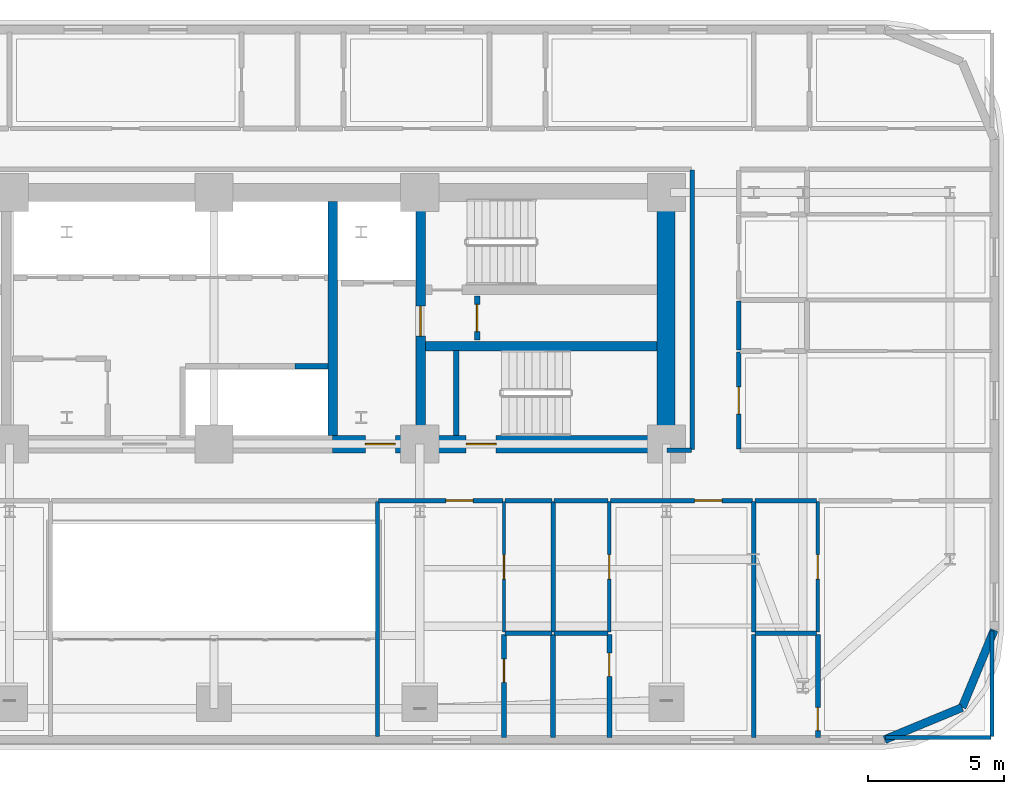
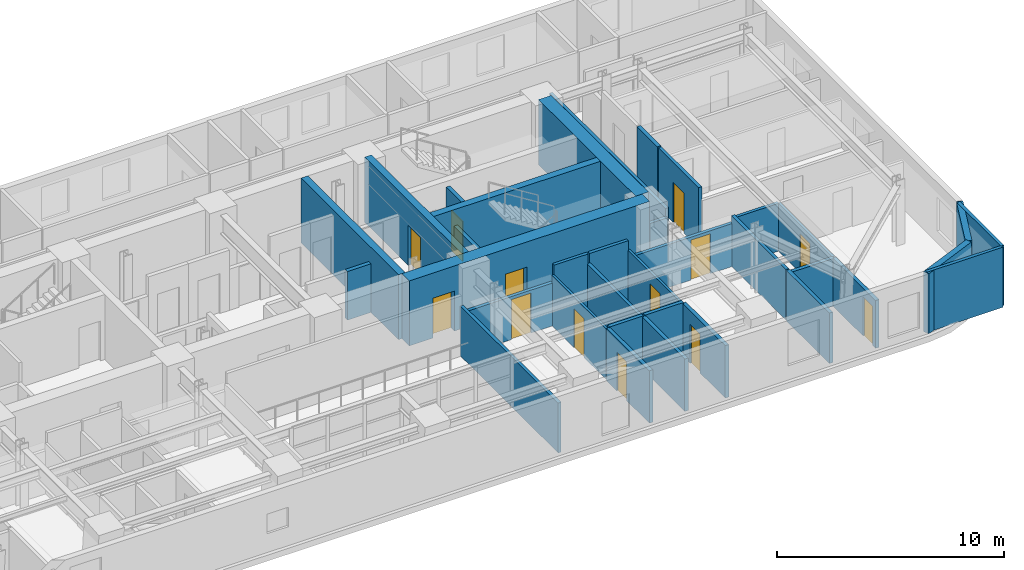
# One storey, part 11 of 16: 35 walls, 13 doors, 13 openings.
"""IFC4 building model written with IfcOpenShell, lengths in metres."""

from ifc_helpers import new_model, si_unit, direction, frame, frame_2d, origin, place, context, subcontext, project, spatial, rectangle, extrude, material, layer, layer_set, type_object, element, fill, save


model = new_model("IFC4")

# Units and contexts
model_context = context("Model", 3, precision=1e-05, world=origin(), true_north=direction((0.0, 1.0)))
body_context = subcontext(model_context, "Body", "Model", "MODEL_VIEW")
ifc_project = project(units=[si_unit("LENGTHUNIT", "METRE"), si_unit("AREAUNIT", "SQUARE_METRE"), si_unit("VOLUMEUNIT", "CUBIC_METRE"), si_unit("PLANEANGLEUNIT", "RADIAN"), si_unit("MASSUNIT", "GRAM", prefix="KILO")], contexts=[model_context])

# Site, building, storey
site_placement = place(None, origin())
site = spatial("IfcSite", under=ifc_project, at=site_placement, CompositionType="ELEMENT")
building_placement = place(site_placement, origin())
building = spatial("IfcBuilding", under=site, at=building_placement, Name="Zarnavel Station Tower", CompositionType="ELEMENT")
storey_placement = place(building_placement, frame((0.0, 0.0, 86.300048828125)))
storey = spatial("IfcBuildingStorey", under=building, at=storey_placement, Name="L23", CompositionType="ELEMENT", Elevation=86.300048828125)

# Wall
ifc_material_1 = material(Name="Concrete C50/60", Category="concrete")
ifc_layer_1 = layer(ifc_material_1, 0.35009765625)
ifc_layer_set_1 = layer_set([ifc_layer_1], Name="CW_350")
wall_type_1 = type_object("IfcWallType", Name="CW_350", PredefinedType="SHEAR", material=ifc_layer_set_1)
wall_1_placement = place(storey_placement, frame((33.14990234375, 28.14501953125, 0.0), z_axis=(0.0, 0.0, 1.0), x_axis=(0.0, 1.0, 0.0)))
element("IfcWall", 1, at=wall_1_placement, inside=storey, type_object=wall_type_1, Name="L23 Rear Core Shear Wall DIV-E", PredefinedType="SHEAR", context=body_context, shape_type="SweptSolid", body=[
    extrude(rectangle(XDim=8.580078125, YDim=0.35009765625, at=frame_2d((4.2900390625, 0.0))), origin(), (0.0, 0.0, 1.0), 3.5),
])

# Wall, opening, door
wall_2_placement = place(storey_placement, frame((36.3798828125, 28.14501953125, 0.0), z_axis=(0.0, 0.0, 1.0), x_axis=(0.0, 1.0, 0.0)))
wall_2 = element("IfcWall", 2, at=wall_2_placement, inside=storey, type_object=wall_type_1, Name="L23 Rear Core Shear Wall DIV-S2", PredefinedType="SHEAR", context=body_context, shape_type="SweptSolid", body=[
    extrude(rectangle(XDim=8.580078125, YDim=0.35009765625, at=frame_2d((4.2900390625, 0.0))), origin(), (0.0, 0.0, 1.0), 3.5),
])
opening_1_placement = place(wall_2_placement, frame((3.635009765625, 0.0, 0.0)))
opening_1 = element("IfcOpeningElement", 3, at=opening_1_placement, cuts=wall_2, Name="Opening FD01", PredefinedType="OPENING", context=body_context, shape_type="SweptSolid", body=[
    extrude(rectangle(XDim=1.10009765625, YDim=2.14990234375, at=frame_2d((0.550048828125, 1.074951171875))), frame((0.0, 0.18505859375, 0.0), z_axis=(0.0, -1.0, 0.0), x_axis=(1.0, 0.0, 0.0)), (0.0, 0.0, 1.0), 0.3701171875),
])
ifc_material_2 = material(Name="Painted Galvanised Steel and Hardwood Leaf", Category="steel")
door_type_1 = type_object("IfcDoorType", Name="ID_STAIR_1100", OperationType="NOTDEFINED", PredefinedType="DOOR", material=ifc_material_2)
door_1_placement = place(opening_1_placement, origin())
door_1 = element("IfcDoor", 4, at=door_1_placement, inside=storey, type_object=door_type_1, Name="L23 East Stair Vestibule Fire Door", OperationType="SINGLE_SWING_LEFT", OverallHeight=2.14990234375, OverallWidth=1.10009765625, PredefinedType="DOOR", context=body_context, shape_type="SweptSolid", body=[
    extrude(rectangle(XDim=1.10009765625, YDim=2.14990234375, at=frame_2d((0.550048828125, 1.074951171875))), frame((0.0, 0.02490234375, 0.0), z_axis=(0.0, -1.0, 0.0), x_axis=(1.0, 0.0, 0.0)), (0.0, 0.0, 1.0), 0.050048828125),
])
fill(opening_1, door_1)

# Wall
wall_3_placement = place(storey_placement, frame((36.554931640625, 31.419921875, 0.0), z_axis=(0.0, 0.0, 1.0), x_axis=(1.0, 0.0, 0.0)))
element("IfcWall", 5, at=wall_3_placement, inside=storey, type_object=wall_type_1, Name="L23 Rear Core Shear Wall DIV-H3", PredefinedType="SHEAR", context=body_context, shape_type="SweptSolid", body=[
    extrude(rectangle(XDim=8.5, YDim=0.35009765625, at=frame_2d((4.25, 0.0))), origin(), (0.0, 0.0, 1.0), 3.5),
])

# Wall, openings, doors
ifc_material_3 = material(Name="Concrete C60/75", Category="concrete")
ifc_layer_2 = layer(ifc_material_3, 0.64990234375)
ifc_layer_set_2 = layer_set([ifc_layer_2], Name="CW_650")
wall_type_2 = type_object("IfcWallType", Name="CW_650", PredefinedType="SHEAR", material=ifc_layer_set_2)
wall_4_placement = place(storey_placement, frame((45.3798828125, 27.820068359375, 0.0), z_axis=(0.0, 0.0, 1.0), x_axis=(-1.0, 0.0, 0.0)))
wall_4 = element("IfcWall", 6, at=wall_4_placement, inside=storey, type_object=wall_type_2, Name="L23 Rear Core Shear Wall S-E", PredefinedType="SHEAR", context=body_context, shape_type="SweptSolid", body=[
    extrude(rectangle(XDim=12.22998046875, YDim=0.64990234375, at=frame_2d((6.114990234375, 0.0))), origin(), (0.0, 0.0, 1.0), 3.5),
])
opening_2_placement = place(wall_4_placement, frame((9.929931640625, 0.0, 0.0)))
opening_2 = element("IfcOpeningElement", 7, at=opening_2_placement, cuts=wall_4, Name="Opening FD01", PredefinedType="OPENING", context=body_context, shape_type="SweptSolid", body=[
    extrude(rectangle(XDim=1.10009765625, YDim=2.14990234375, at=frame_2d((0.550048828125, 1.074951171875))), frame((0.0, 0.3349609375, 0.0), z_axis=(0.0, -1.0, 0.0), x_axis=(1.0, 0.0, 0.0)), (0.0, 0.0, 1.0), 0.669921875),
])
opening_3_placement = place(wall_4_placement, frame((6.22998046875, 0.0, 0.0)))
opening_3 = element("IfcOpeningElement", 8, at=opening_3_placement, cuts=wall_4, Name="Opening FD01", PredefinedType="OPENING", context=body_context, shape_type="SweptSolid", body=[
    extrude(rectangle(XDim=1.10009765625, YDim=2.14990234375, at=frame_2d((0.550048828125, 1.074951171875))), frame((0.0, 0.3349609375, 0.0), z_axis=(0.0, -1.0, 0.0), x_axis=(1.0, 0.0, 0.0)), (0.0, 0.0, 1.0), 0.669921875),
])
door_2_placement = place(opening_2_placement, origin())
door_2 = element("IfcDoor", 9, at=door_2_placement, inside=storey, type_object=door_type_1, Name="L23 East Firefighting Lobby Door", OperationType="SINGLE_SWING_LEFT", OverallHeight=2.14990234375, OverallWidth=1.10009765625, PredefinedType="DOOR", context=body_context, shape_type="SweptSolid", body=[
    extrude(rectangle(XDim=1.10009765625, YDim=2.14990234375, at=frame_2d((0.550048828125, 1.074951171875))), frame((0.0, 0.02490234375, 0.0), z_axis=(0.0, -1.0, 0.0), x_axis=(1.0, 0.0, 0.0)), (0.0, 0.0, 1.0), 0.050048828125),
])
fill(opening_2, door_2)
door_3_placement = place(opening_3_placement, origin())
door_3 = element("IfcDoor", 10, at=door_3_placement, inside=storey, type_object=door_type_1, Name="L23 Stair ST3 Corridor Fire Door", OperationType="SINGLE_SWING_RIGHT", OverallHeight=2.14990234375, OverallWidth=1.10009765625, PredefinedType="DOOR", context=body_context, shape_type="SweptSolid", body=[
    extrude(rectangle(XDim=1.10009765625, YDim=2.14990234375, at=frame_2d((0.550048828125, 1.074951171875))), frame((0.0, 0.02490234375, 0.0), z_axis=(0.0, -1.0, 0.0), x_axis=(1.0, 0.0, 0.0)), (0.0, 0.0, 1.0), 0.050048828125),
])
fill(opening_3, door_3)

# Walls
wall_5_placement = place(storey_placement, frame((45.3798828125, 28.14501953125, 0.0), z_axis=(0.0, 0.0, 1.0), x_axis=(0.0, 1.0, 0.0)))
element("IfcWall", 11, at=wall_5_placement, inside=storey, type_object=wall_type_2, Name="L23 Rear Core Shear Wall E", PredefinedType="SHEAR", context=body_context, shape_type="SweptSolid", body=[
    extrude(rectangle(XDim=8.580078125, YDim=0.64990234375, at=frame_2d((4.2900390625, 0.0))), origin(), (0.0, 0.0, 1.0), 3.5),
])
ifc_material_4 = material(Name="Precast concrete C45/55 (Dark Basalt Finish)", Category="masonry")
ifc_layer_3 = layer(ifc_material_4, 0.300048828125)
ifc_layer_set_3 = layer_set([ifc_layer_3], Name="EW_BASALT_300")
wall_type_3 = type_object("IfcWallType", Name="EW_BASALT_300", PredefinedType="SOLIDWALL", material=ifc_layer_set_3)
wall_6_placement = place(storey_placement, frame((56.24267578125, 18.157470703125, 0.0), z_axis=(0.0, 0.0, 1.0), x_axis=(-0.923882414032, -0.382676475685, 0.0)))
element("IfcWall", 12, at=wall_6_placement, inside=storey, type_object=wall_type_3, Name="L23 Exterior Basalt Masonry Frame Wall 01", PredefinedType="SOLIDWALL", context=body_context, shape_type="SweptSolid", body=[
    extrude(rectangle(XDim=3.076904296875, YDim=0.300048828125, at=frame_2d((1.53857421875, 0.0))), origin(), (0.0, 0.0, 1.0), 3.239990234375),
])
wall_7_placement = place(storey_placement, frame((57.419921875, 21.0, 0.0), z_axis=(0.0, 0.0, 1.0), x_axis=(-0.382636798336, -0.92389884758, 0.0)))
element("IfcWall", 13, at=wall_7_placement, inside=storey, type_object=wall_type_3, Name="L23 Exterior Basalt Masonry Frame Wall 02", PredefinedType="SOLIDWALL", context=body_context, shape_type="SweptSolid", body=[
    extrude(rectangle(XDim=3.07666015625, YDim=0.300048828125, at=frame_2d((1.538330078125, 0.0))), origin(), (0.0, 0.0, 1.0), 3.239990234375),
])

# Wall, opening, door
ifc_material_5 = material(Name="Gypsum Twin-Stud Acoustic Fire Partition", Category="concrete")
ifc_layer_4 = layer(ifc_material_5, 0.159912109375)
ifc_layer_set_4 = layer_set([ifc_layer_4], Name="PT_DEMISE_160")
wall_type_4 = type_object("IfcWallType", Name="PT_DEMISE_160", PredefinedType="PARTITIONING", material=ifc_layer_set_4)
wall_8_placement = place(storey_placement, frame((34.840087890625, 25.75, 0.0), z_axis=(0.0, 0.0, 1.0), x_axis=(1.0, 0.0, 0.0)))
wall_8 = element("IfcWall", 14, at=wall_8_placement, inside=storey, type_object=wall_type_4, Name="L23 Partition COR-S-HE1R", PredefinedType="PARTITIONING", context=body_context, shape_type="SweptSolid", body=[
    extrude(rectangle(XDim=4.556884765625, YDim=0.159912109375, at=frame_2d((2.2783203125, 0.0))), origin(), (0.0, 0.0, 1.0), 2.31005859375),
])
opening_4_placement = place(wall_8_placement, frame((2.461181640625, 0.0, 0.0)))
opening_4 = element("IfcOpeningElement", 15, at=opening_4_placement, cuts=wall_8, Name="Opening FD02", PredefinedType="OPENING", context=body_context, shape_type="SweptSolid", body=[
    extrude(rectangle(XDim=1.0, YDim=2.14990234375, at=frame_2d((0.5, 1.074951171875))), frame((0.0, 0.08984375, 0.0), z_axis=(0.0, -1.0, 0.0), x_axis=(1.0, 0.0, 0.0)), (0.0, 0.0, 1.0), 0.179931640625),
])
ifc_material_6 = material(Name="Painted Galvanised Steel and Hardwood Leaf", Category="steel")
door_type_2 = type_object("IfcDoorType", Name="ID_ENTRY_1000", OperationType="NOTDEFINED", PredefinedType="DOOR", material=ifc_material_6)
door_4_placement = place(opening_4_placement, origin())
door_4 = element("IfcDoor", 16, at=door_4_placement, inside=storey, type_object=door_type_2, Name="L23 Door COR-S-HE1R", OperationType="SINGLE_SWING_RIGHT", OverallHeight=2.14990234375, OverallWidth=1.0, PredefinedType="DOOR", context=body_context, shape_type="SweptSolid", body=[
    extrude(rectangle(XDim=1.0, YDim=2.14990234375, at=frame_2d((0.5, 1.074951171875))), frame((0.0, 0.02490234375, 0.0), z_axis=(0.0, -1.0, 0.0), x_axis=(1.0, 0.0, 0.0)), (0.0, 0.0, 1.0), 0.050048828125),
])
fill(opening_4, door_4)

# Wall
wall_9_placement = place(storey_placement, frame((39.47705078125, 25.75, 0.0), z_axis=(0.0, 0.0, 1.0), x_axis=(1.0, 0.0, 0.0)))
element("IfcWall", 17, at=wall_9_placement, inside=storey, type_object=wall_type_4, Name="L23 Partition COR-S-HE1S", PredefinedType="PARTITIONING", context=body_context, shape_type="SweptSolid", body=[
    extrude(rectangle(XDim=1.722900390625, YDim=0.159912109375, at=frame_2d((0.861328125, 0.0))), origin(), (0.0, 0.0, 1.0), 3.239990234375),
])

# Wall, opening, door
wall_10_placement = place(storey_placement, frame((43.341064453125, 25.75, 0.0), z_axis=(0.0, 0.0, 1.0), x_axis=(1.0, 0.0, 0.0)))
wall_10 = element("IfcWall", 18, at=wall_10_placement, inside=storey, type_object=wall_type_4, Name="L23 Partition COR-S-HE2R", PredefinedType="PARTITIONING", context=body_context, shape_type="SweptSolid", body=[
    extrude(rectangle(XDim=5.218994140625, YDim=0.159912109375, at=frame_2d((2.609375, 0.0))), origin(), (0.0, 0.0, 1.0), 2.31005859375),
])
opening_5_placement = place(wall_10_placement, frame((3.09423828125, 0.0, 0.0)))
opening_5 = element("IfcOpeningElement", 19, at=opening_5_placement, cuts=wall_10, Name="Opening FD02", PredefinedType="OPENING", context=body_context, shape_type="SweptSolid", body=[
    extrude(rectangle(XDim=1.0, YDim=2.14990234375, at=frame_2d((0.5, 1.074951171875))), frame((0.0, 0.08984375, 0.0), z_axis=(0.0, -1.0, 0.0), x_axis=(1.0, 0.0, 0.0)), (0.0, 0.0, 1.0), 0.179931640625),
])
door_5_placement = place(opening_5_placement, origin())
door_5 = element("IfcDoor", 20, at=door_5_placement, inside=storey, type_object=door_type_2, Name="L23 Door COR-S-HE2R", OperationType="SINGLE_SWING_LEFT", OverallHeight=2.14990234375, OverallWidth=1.0, PredefinedType="DOOR", context=body_context, shape_type="SweptSolid", body=[
    extrude(rectangle(XDim=1.0, YDim=2.14990234375, at=frame_2d((0.5, 1.074951171875))), frame((0.0, 0.02490234375, 0.0), z_axis=(0.0, -1.0, 0.0), x_axis=(1.0, 0.0, 0.0)), (0.0, 0.0, 1.0), 0.050048828125),
])
fill(opening_5, door_5)

# Walls
wall_11_placement = place(storey_placement, frame((41.280029296875, 25.75, 0.0), z_axis=(0.0, 0.0, 1.0), x_axis=(1.0, 0.0, 0.0)))
element("IfcWall", 21, at=wall_11_placement, inside=storey, type_object=wall_type_4, Name="L23 Partition COR-S-HE2S", PredefinedType="PARTITIONING", context=body_context, shape_type="SweptSolid", body=[
    extrude(rectangle(XDim=1.98095703125, YDim=0.159912109375, at=frame_2d((0.990478515625, 0.0))), origin(), (0.0, 0.0, 1.0), 3.239990234375),
])
wall_12_placement = place(storey_placement, frame((48.639892578125, 25.75, 0.0), z_axis=(0.0, 0.0, 1.0), x_axis=(1.0, 0.0, 0.0)))
element("IfcWall", 22, at=wall_12_placement, inside=storey, type_object=wall_type_4, Name="L23 Partition COR-S-HE3S", PredefinedType="PARTITIONING", context=body_context, shape_type="SweptSolid", body=[
    extrude(rectangle(XDim=2.27001953125, YDim=0.159912109375, at=frame_2d((1.135009765625, 0.0))), origin(), (0.0, 0.0, 1.0), 2.570068359375),
])

# Wall, opening, door
wall_13_placement = place(storey_placement, frame((48.050048828125, 27.639892578125, 0.0), z_axis=(0.0, 0.0, 1.0), x_axis=(0.0, 1.0, 0.0)))
wall_13 = element("IfcWall", 23, at=wall_13_placement, inside=storey, type_object=wall_type_4, Name="L23 Partition COR-E-FNE1R", PredefinedType="PARTITIONING", context=body_context, shape_type="SweptSolid", body=[
    extrude(rectangle(XDim=3.55615234375, YDim=0.159912109375, at=frame_2d((1.778076171875, 0.0))), origin(), (0.0, 0.0, 1.0), 3.239990234375),
])
opening_6_placement = place(wall_13_placement, frame((1.278076171875, 0.0, 0.0)))
opening_6 = element("IfcOpeningElement", 24, at=opening_6_placement, cuts=wall_13, Name="Opening FD02", PredefinedType="OPENING", context=body_context, shape_type="SweptSolid", body=[
    extrude(rectangle(XDim=1.0, YDim=2.14990234375, at=frame_2d((0.5, 1.074951171875))), frame((0.0, 0.08984375, 0.0), z_axis=(0.0, -1.0, 0.0), x_axis=(1.0, 0.0, 0.0)), (0.0, 0.0, 1.0), 0.179931640625),
])
door_6_placement = place(opening_6_placement, origin())
door_6 = element("IfcDoor", 25, at=door_6_placement, inside=storey, type_object=door_type_2, Name="L23 Door COR-E-FNE1R", OperationType="SINGLE_SWING_LEFT", OverallHeight=2.14990234375, OverallWidth=1.0, PredefinedType="DOOR", context=body_context, shape_type="SweptSolid", body=[
    extrude(rectangle(XDim=1.0, YDim=2.14990234375, at=frame_2d((0.5, 1.074951171875))), frame((0.0, 0.02490234375, 0.0), z_axis=(0.0, -1.0, 0.0), x_axis=(1.0, 0.0, 0.0)), (0.0, 0.0, 1.0), 0.050048828125),
])
fill(opening_6, door_6)

# Walls
for number, where, z_axis, x_axis, name in (
    (26, (41.239990234375, 20.924072265625, 0.0), (0.0, 0.0, 1.0), (0.0, 1.0, 0.0), "L23 Partition HE1S-HE2S"),
    (27, (48.60009765625, 20.924072265625, 0.0), (0.0, 0.0, 1.0), (0.0, 1.0, 0.0), "L23 Partition HE2R-HE3S"),
):
    element("IfcWall", number, at=place(storey_placement, frame(where, z_axis=z_axis, x_axis=x_axis)), inside=storey, type_object=wall_type_4, Name=name, PredefinedType="PARTITIONING", context=body_context, shape_type="SweptSolid", body=[
        extrude(rectangle(XDim=4.785888671875, YDim=0.159912109375, at=frame_2d((2.39306640625, 0.0))), origin(), (0.0, 0.0, 1.0), 2.719970703125),
    ])
wall_14_placement = place(storey_placement, frame((45.409912109375, 27.60009765625, 0.0), z_axis=(0.0, 0.0, 1.0), x_axis=(1.0, 0.0, 0.0)))
element("IfcWall", 28, at=wall_14_placement, inside=storey, type_object=wall_type_4, Name="L23 Enclosure Wall COR-S", PredefinedType="PARTITIONING", context=body_context, shape_type="SweptSolid", body=[
    extrude(rectangle(XDim=0.91015625, YDim=0.159912109375, at=frame_2d((0.455078125, 0.0))), origin(), (0.0, 0.0, 1.0), 2.280029296875),
])
wall_15_placement = place(storey_placement, frame((46.35009765625, 27.6298828125, 0.0), z_axis=(0.0, 0.0, 1.0), x_axis=(0.0, 1.0, 0.0)))
element("IfcWall", 29, at=wall_15_placement, inside=storey, type_object=wall_type_4, Name="L23 Enclosure Wall COR-E", PredefinedType="PARTITIONING", context=body_context, shape_type="SweptSolid", body=[
    extrude(rectangle(XDim=10.240234375, YDim=0.159912109375, at=frame_2d((5.1201171875, 0.0))), origin(), (0.0, 0.0, 1.0), 2.719970703125),
])
wall_16_placement = place(storey_placement, frame((34.800048828125, 17.090087890625, 0.0), z_axis=(0.0, 0.0, 1.0), x_axis=(0.0, 1.0, 0.0)))
element("IfcWall", 30, at=wall_16_placement, inside=storey, type_object=wall_type_4, Name="L23 Enclosure Wall HE1R", PredefinedType="PARTITIONING", context=body_context, shape_type="SweptSolid", body=[
    extrude(rectangle(XDim=8.6298828125, YDim=0.159912109375, at=frame_2d((4.31494140625, 0.0))), origin(), (0.0, 0.0, 1.0), 2.679931640625),
])
wall_17_placement = place(storey_placement, frame((53.429931640625, 17.06005859375, 0.0), z_axis=(0.0, 0.0, 1.0), x_axis=(1.0, 0.0, 0.0)))
element("IfcWall", 31, at=wall_17_placement, inside=storey, type_object=wall_type_4, Name="L23 Enclosure Wall HE3R", PredefinedType="PARTITIONING", context=body_context, shape_type="SweptSolid", body=[
    extrude(rectangle(XDim=3.880126953125, YDim=0.159912109375, at=frame_2d((1.93994140625, 0.0))), origin(), (0.0, 0.0, 1.0), 3.239990234375),
])
wall_18_placement = place(storey_placement, frame((57.340087890625, 17.090087890625, 0.0), z_axis=(0.0, 0.0, 1.0), x_axis=(0.0, 1.0, 0.0)))
element("IfcWall", 32, at=wall_18_placement, inside=storey, type_object=wall_type_4, Name="L23 Enclosure Wall HE3R", PredefinedType="PARTITIONING", context=body_context, shape_type="SweptSolid", body=[
    extrude(rectangle(XDim=3.8798828125, YDim=0.159912109375, at=frame_2d((1.93994140625, 0.0))), origin(), (0.0, 0.0, 1.0), 3.239990234375),
])

# Wall, opening, door
ifc_material_7 = material(Name="Gypsum Metal-Stud Interior Partition", Category="concrete")
ifc_layer_5 = layer(ifc_material_7, 0.1201171875)
ifc_layer_set_5 = layer_set([ifc_layer_5], Name="PT_ROOM_120")
wall_type_5 = type_object("IfcWallType", Name="PT_ROOM_120", PredefinedType="PARTITIONING", material=ifc_layer_set_5)
wall_19_placement = place(storey_placement, frame((39.43701171875, 20.924072265625, 0.0), z_axis=(0.0, 0.0, 1.0), x_axis=(0.0, 1.0, 0.0)))
wall_19 = element("IfcWall", 33, at=wall_19_placement, inside=storey, type_object=wall_type_5, Name="L23 Partition HE1R-HE1S", PredefinedType="PARTITIONING", context=body_context, shape_type="SweptSolid", body=[
    extrude(rectangle(XDim=4.785888671875, YDim=0.1201171875, at=frame_2d((2.39306640625, 0.0))), origin(), (0.0, 0.0, 1.0), 2.719970703125),
])
opening_7_placement = place(wall_19_placement, frame((1.943115234375, 0.0, 0.0)))
opening_7 = element("IfcOpeningElement", 34, at=opening_7_placement, cuts=wall_19, Name="Opening ID01", PredefinedType="OPENING", context=body_context, shape_type="SweptSolid", body=[
    extrude(rectangle(XDim=0.89990234375, YDim=2.10009765625, at=frame_2d((0.449951171875, 1.050048828125))), frame((0.0, 0.070068359375, 0.0), z_axis=(0.0, -1.0, 0.0), x_axis=(1.0, 0.0, 0.0)), (0.0, 0.0, 1.0), 0.14013671875),
])
ifc_material_8 = material(Name="Painted Galvanised Steel and Hardwood Leaf", Category="steel")
door_type_3 = type_object("IfcDoorType", Name="ID_ROOM_900", OperationType="NOTDEFINED", PredefinedType="DOOR", material=ifc_material_8)
door_7_placement = place(opening_7_placement, origin())
door_7 = element("IfcDoor", 35, at=door_7_placement, inside=storey, type_object=door_type_3, Name="L23 Door HE1R-HE1S", OperationType="SINGLE_SWING_LEFT", OverallHeight=2.10009765625, OverallWidth=0.89990234375, PredefinedType="DOOR", context=body_context, shape_type="SweptSolid", body=[
    extrude(rectangle(XDim=0.89990234375, YDim=2.10009765625, at=frame_2d((0.449951171875, 1.050048828125))), frame((0.0, 0.02490234375, 0.0), z_axis=(0.0, -1.0, 0.0), x_axis=(1.0, 0.0, 0.0)), (0.0, 0.0, 1.0), 0.050048828125),
])
fill(opening_7, door_7)

wall_20_placement = place(storey_placement, frame((43.301025390625, 20.924072265625, 0.0), z_axis=(0.0, 0.0, 1.0), x_axis=(0.0, 1.0, 0.0)))
wall_20 = element("IfcWall", 36, at=wall_20_placement, inside=storey, type_object=wall_type_5, Name="L23 Partition HE2R-HE2S", PredefinedType="PARTITIONING", context=body_context, shape_type="SweptSolid", body=[
    extrude(rectangle(XDim=4.785888671875, YDim=0.1201171875, at=frame_2d((2.39306640625, 0.0))), origin(), (0.0, 0.0, 1.0), 2.719970703125),
])
opening_8_placement = place(wall_20_placement, frame((1.943115234375, 0.0, 0.0)))
opening_8 = element("IfcOpeningElement", 37, at=opening_8_placement, cuts=wall_20, Name="Opening ID01", PredefinedType="OPENING", context=body_context, shape_type="SweptSolid", body=[
    extrude(rectangle(XDim=0.89990234375, YDim=2.10009765625, at=frame_2d((0.449951171875, 1.050048828125))), frame((0.0, 0.070068359375, 0.0), z_axis=(0.0, -1.0, 0.0), x_axis=(1.0, 0.0, 0.0)), (0.0, 0.0, 1.0), 0.14013671875),
])
door_8_placement = place(opening_8_placement, origin())
door_8 = element("IfcDoor", 38, at=door_8_placement, inside=storey, type_object=door_type_3, Name="L23 Door HE2R-HE2S", OperationType="SINGLE_SWING_LEFT", OverallHeight=2.10009765625, OverallWidth=0.89990234375, PredefinedType="DOOR", context=body_context, shape_type="SweptSolid", body=[
    extrude(rectangle(XDim=0.89990234375, YDim=2.10009765625, at=frame_2d((0.449951171875, 1.050048828125))), frame((0.0, 0.02490234375, 0.0), z_axis=(0.0, -1.0, 0.0), x_axis=(1.0, 0.0, 0.0)), (0.0, 0.0, 1.0), 0.050048828125),
])
fill(opening_8, door_8)

wall_21_placement = place(storey_placement, frame((50.949951171875, 20.924072265625, 0.0), z_axis=(0.0, 0.0, 1.0), x_axis=(0.0, 1.0, 0.0)))
wall_21 = element("IfcWall", 39, at=wall_21_placement, inside=storey, type_object=wall_type_5, Name="L23 Partition HE3R-HE3S", PredefinedType="PARTITIONING", context=body_context, shape_type="SweptSolid", body=[
    extrude(rectangle(XDim=4.785888671875, YDim=0.1201171875, at=frame_2d((2.39306640625, 0.0))), origin(), (0.0, 0.0, 1.0), 2.570068359375),
])
opening_9_placement = place(wall_21_placement, frame((1.943115234375, 0.0, 0.0)))
opening_9 = element("IfcOpeningElement", 40, at=opening_9_placement, cuts=wall_21, Name="Opening ID01", PredefinedType="OPENING", context=body_context, shape_type="SweptSolid", body=[
    extrude(rectangle(XDim=0.89990234375, YDim=2.10009765625, at=frame_2d((0.449951171875, 1.050048828125))), frame((0.0, 0.070068359375, 0.0), z_axis=(0.0, -1.0, 0.0), x_axis=(1.0, 0.0, 0.0)), (0.0, 0.0, 1.0), 0.14013671875),
])
door_9_placement = place(opening_9_placement, origin())
door_9 = element("IfcDoor", 41, at=door_9_placement, inside=storey, type_object=door_type_3, Name="L23 Door HE3R-HE3S", OperationType="SINGLE_SWING_LEFT", OverallHeight=2.10009765625, OverallWidth=0.89990234375, PredefinedType="DOOR", context=body_context, shape_type="SweptSolid", body=[
    extrude(rectangle(XDim=0.89990234375, YDim=2.10009765625, at=frame_2d((0.449951171875, 1.050048828125))), frame((0.0, 0.02490234375, 0.0), z_axis=(0.0, -1.0, 0.0), x_axis=(1.0, 0.0, 0.0)), (0.0, 0.0, 1.0), 0.050048828125),
])
fill(opening_9, door_9)

# Walls
ifc_material_9 = material(Name="Precast concrete C45/55 (Fire Shaft Blockwork)", Category="masonry")
ifc_layer_6 = layer(ifc_material_9, 0.199951171875)
ifc_layer_set_6 = layer_set([ifc_layer_6], Name="PT_SHAFT_200")
wall_type_6 = type_object("IfcWallType", Name="PT_SHAFT_200", PredefinedType="PARTITIONING", material=ifc_layer_set_6)
wall_22_placement = place(storey_placement, frame((31.77490234375, 30.669921875, 0.0), z_axis=(0.0, 0.0, 1.0), x_axis=(1.0, 0.0, 0.0)))
element("IfcWall", 42, at=wall_22_placement, inside=storey, type_object=wall_type_6, Name="L23 Lift PL-H3 Shaft Front Wall", PredefinedType="PARTITIONING", context=body_context, shape_type="SweptSolid", body=[
    extrude(rectangle(XDim=1.2001953125, YDim=0.199951171875, at=frame_2d((0.60009765625, 0.0))), origin(), (0.0, 0.0, 1.0), 2.619873046875),
])
wall_23_placement = place(storey_placement, frame((37.679931640625, 28.14501953125, 0.0), z_axis=(0.0, 0.0, 1.0), x_axis=(0.0, 1.0, 0.0)))
element("IfcWall", 43, at=wall_23_placement, inside=storey, type_object=wall_type_6, Name="L23 Stair ST3 West Shaft Wall", PredefinedType="PARTITIONING", context=body_context, shape_type="SweptSolid", body=[
    extrude(rectangle(XDim=3.10498046875, YDim=0.199951171875, at=frame_2d((1.552490234375, 0.0))), origin(), (0.0, 0.0, 1.0), 2.619873046875),
])

# Wall, opening, door
wall_24_placement = place(storey_placement, frame((38.449951171875, 31.639892578125, 0.0), z_axis=(0.0, 0.0, 1.0), x_axis=(0.0, 1.0, 0.0)))
wall_24 = element("IfcWall", 44, at=wall_24_placement, inside=storey, type_object=wall_type_6, Name="L23 Partition ESTV-CEA", PredefinedType="PARTITIONING", context=body_context, shape_type="SweptSolid", body=[
    extrude(rectangle(XDim=1.6201171875, YDim=0.199951171875, at=frame_2d((0.81005859375, 0.0))), origin(), (0.0, 0.0, 1.0), 3.239990234375),
])
opening_10_placement = place(wall_24_placement, frame((0.31005859375, 0.0, 0.0)))
opening_10 = element("IfcOpeningElement", 45, at=opening_10_placement, cuts=wall_24, Name="Opening FD02", PredefinedType="OPENING", context=body_context, shape_type="SweptSolid", body=[
    extrude(rectangle(XDim=1.0, YDim=2.14990234375, at=frame_2d((0.5, 1.074951171875))), frame((0.0, 0.10986328125, 0.0), z_axis=(0.0, -1.0, 0.0), x_axis=(1.0, 0.0, 0.0)), (0.0, 0.0, 1.0), 0.219970703125),
])
door_10_placement = place(opening_10_placement, origin())
door_10 = element("IfcDoor", 46, at=door_10_placement, inside=storey, type_object=door_type_2, Name="L23 Door ESTV-CEA", OperationType="SINGLE_SWING_RIGHT", OverallHeight=2.14990234375, OverallWidth=1.0, PredefinedType="DOOR", context=body_context, shape_type="SweptSolid", body=[
    extrude(rectangle(XDim=1.0, YDim=2.14990234375, at=frame_2d((0.5, 1.074951171875))), frame((0.0, 0.02490234375, 0.0), z_axis=(0.0, -1.0, 0.0), x_axis=(1.0, 0.0, 0.0)), (0.0, 0.0, 1.0), 0.050048828125),
])
fill(opening_10, door_10)

# Wall
ifc_material_10 = material(Name="Moisture-Resistant Plumbing Chase Wall", Category="concrete")
ifc_layer_7 = layer(ifc_material_10, 0.179931640625)
ifc_layer_set_7 = layer_set([ifc_layer_7], Name="PW_PLUMB_180")
wall_type_7 = type_object("IfcWallType", Name="PW_PLUMB_180", PredefinedType="PLUMBINGWALL", material=ifc_layer_set_7)
wall_25_placement = place(storey_placement, frame((48.050048828125, 31.27587890625, 0.0), z_axis=(0.0, 0.0, 1.0), x_axis=(0.0, 1.0, 0.0)))
element("IfcWall", 47, at=wall_25_placement, inside=storey, type_object=wall_type_7, Name="L23 Partition COR-E-FNE1B", PredefinedType="PLUMBINGWALL", context=body_context, shape_type="SweptSolid", body=[
    extrude(rectangle(XDim=1.793212890625, YDim=0.179931640625, at=frame_2d((0.896484375, 0.0))), origin(), (0.0, 0.0, 1.0), 3.239990234375),
])

# Wall, opening, door
wall_26_placement = place(storey_placement, frame((39.43701171875, 17.06005859375, 0.0), z_axis=(0.0, 0.0, 1.0), x_axis=(0.0, 1.0, 0.0)))
wall_26 = element("IfcWall", 48, at=wall_26_placement, inside=storey, type_object=wall_type_7, Name="L23 Partition HE1R-HE1B", PredefinedType="PLUMBINGWALL", context=body_context, shape_type="SweptSolid", body=[
    extrude(rectangle(XDim=3.783935546875, YDim=0.179931640625, at=frame_2d((1.89208984375, 0.0))), origin(), (0.0, 0.0, 1.0), 2.820068359375),
])
opening_11_placement = place(wall_26_placement, frame((2.02001953125, 0.0, 0.0)))
opening_11 = element("IfcOpeningElement", 49, at=opening_11_placement, cuts=wall_26, Name="Opening ID02", PredefinedType="OPENING", context=body_context, shape_type="SweptSolid", body=[
    extrude(rectangle(XDim=0.85009765625, YDim=2.10009765625, at=frame_2d((0.425048828125, 1.050048828125))), frame((0.0, 0.099853515625, 0.0), z_axis=(0.0, -1.0, 0.0), x_axis=(1.0, 0.0, 0.0)), (0.0, 0.0, 1.0), 0.199951171875),
])
ifc_material_11 = material(Name="Painted Galvanised Steel and Hardwood Leaf", Category="steel")
door_type_4 = type_object("IfcDoorType", Name="ID_BATH_850", OperationType="NOTDEFINED", PredefinedType="DOOR", material=ifc_material_11)
door_11_placement = place(opening_11_placement, origin())
door_11 = element("IfcDoor", 50, at=door_11_placement, inside=storey, type_object=door_type_4, Name="L23 Door HE1R-HE1B", OperationType="SINGLE_SWING_RIGHT", OverallHeight=2.10009765625, OverallWidth=0.85009765625, PredefinedType="DOOR", context=body_context, shape_type="SweptSolid", body=[
    extrude(rectangle(XDim=0.85009765625, YDim=2.10009765625, at=frame_2d((0.425048828125, 1.050048828125))), frame((0.0, 0.02490234375, 0.0), z_axis=(0.0, -1.0, 0.0), x_axis=(1.0, 0.0, 0.0)), (0.0, 0.0, 1.0), 0.050048828125),
])
fill(opening_11, door_11)

# Walls
wall_27_placement = place(storey_placement, frame((39.47705078125, 20.884033203125, 0.0), z_axis=(0.0, 0.0, 1.0), x_axis=(1.0, 0.0, 0.0)))
element("IfcWall", 51, at=wall_27_placement, inside=storey, type_object=wall_type_7, Name="L23 Partition HE1B-HE1S", PredefinedType="PLUMBINGWALL", context=body_context, shape_type="SweptSolid", body=[
    extrude(rectangle(XDim=1.722900390625, YDim=0.179931640625, at=frame_2d((0.861328125, 0.0))), origin(), (0.0, 0.0, 1.0), 2.869873046875),
])
wall_28_placement = place(storey_placement, frame((41.239990234375, 17.06005859375, 0.0), z_axis=(0.0, 0.0, 1.0), x_axis=(0.0, 1.0, 0.0)))
element("IfcWall", 52, at=wall_28_placement, inside=storey, type_object=wall_type_7, Name="L23 Partition HE1B-HE2B", PredefinedType="PLUMBINGWALL", context=body_context, shape_type="SweptSolid", body=[
    extrude(rectangle(XDim=3.783935546875, YDim=0.179931640625, at=frame_2d((1.89208984375, 0.0))), origin(), (0.0, 0.0, 1.0), 2.820068359375),
])

# Wall, opening, door
wall_29_placement = place(storey_placement, frame((43.301025390625, 17.06005859375, 0.0), z_axis=(0.0, 0.0, 1.0), x_axis=(0.0, 1.0, 0.0)))
wall_29 = element("IfcWall", 53, at=wall_29_placement, inside=storey, type_object=wall_type_7, Name="L23 Partition HE2R-HE2B", PredefinedType="PLUMBINGWALL", context=body_context, shape_type="SweptSolid", body=[
    extrude(rectangle(XDim=3.783935546875, YDim=0.179931640625, at=frame_2d((1.89208984375, 0.0))), origin(), (0.0, 0.0, 1.0), 2.820068359375),
])
opening_12_placement = place(wall_29_placement, frame((2.2412109375, 0.0, 0.0)))
opening_12 = element("IfcOpeningElement", 54, at=opening_12_placement, cuts=wall_29, Name="Opening ID02", PredefinedType="OPENING", context=body_context, shape_type="SweptSolid", body=[
    extrude(rectangle(XDim=0.85009765625, YDim=2.10009765625, at=frame_2d((0.425048828125, 1.050048828125))), frame((0.0, 0.099853515625, 0.0), z_axis=(0.0, -1.0, 0.0), x_axis=(1.0, 0.0, 0.0)), (0.0, 0.0, 1.0), 0.199951171875),
])
door_12_placement = place(opening_12_placement, origin())
door_12 = element("IfcDoor", 55, at=door_12_placement, inside=storey, type_object=door_type_4, Name="L23 Door HE2R-HE2B", OperationType="SINGLE_SWING_RIGHT", OverallHeight=2.10009765625, OverallWidth=0.85009765625, PredefinedType="DOOR", context=body_context, shape_type="SweptSolid", body=[
    extrude(rectangle(XDim=0.85009765625, YDim=2.10009765625, at=frame_2d((0.425048828125, 1.050048828125))), frame((0.0, 0.02490234375, 0.0), z_axis=(0.0, -1.0, 0.0), x_axis=(1.0, 0.0, 0.0)), (0.0, 0.0, 1.0), 0.050048828125),
])
fill(opening_12, door_12)

# Walls
wall_30_placement = place(storey_placement, frame((48.60009765625, 17.06005859375, 0.0), z_axis=(0.0, 0.0, 1.0), x_axis=(0.0, 1.0, 0.0)))
element("IfcWall", 56, at=wall_30_placement, inside=storey, type_object=wall_type_7, Name="L23 Partition HE2R-HE3B", PredefinedType="PLUMBINGWALL", context=body_context, shape_type="SweptSolid", body=[
    extrude(rectangle(XDim=3.783935546875, YDim=0.179931640625, at=frame_2d((1.89208984375, 0.0))), origin(), (0.0, 0.0, 1.0), 2.719970703125),
])
wall_31_placement = place(storey_placement, frame((41.280029296875, 20.884033203125, 0.0), z_axis=(0.0, 0.0, 1.0), x_axis=(1.0, 0.0, 0.0)))
element("IfcWall", 57, at=wall_31_placement, inside=storey, type_object=wall_type_7, Name="L23 Partition HE2B-HE2S", PredefinedType="PLUMBINGWALL", context=body_context, shape_type="SweptSolid", body=[
    extrude(rectangle(XDim=1.98095703125, YDim=0.179931640625, at=frame_2d((0.990478515625, 0.0))), origin(), (0.0, 0.0, 1.0), 2.869873046875),
])

# Wall, opening, door
wall_32_placement = place(storey_placement, frame((50.949951171875, 17.06005859375, 0.0), z_axis=(0.0, 0.0, 1.0), x_axis=(0.0, 1.0, 0.0)))
wall_32 = element("IfcWall", 58, at=wall_32_placement, inside=storey, type_object=wall_type_7, Name="L23 Partition HE3R-HE3B", PredefinedType="PLUMBINGWALL", context=body_context, shape_type="SweptSolid", body=[
    extrude(rectangle(XDim=3.783935546875, YDim=0.179931640625, at=frame_2d((1.89208984375, 0.0))), origin(), (0.0, 0.0, 1.0), 2.570068359375),
])
opening_13_placement = place(wall_32_placement, frame((0.25048828125, 0.0, 0.0)))
opening_13 = element("IfcOpeningElement", 59, at=opening_13_placement, cuts=wall_32, Name="Opening ID02", PredefinedType="OPENING", context=body_context, shape_type="SweptSolid", body=[
    extrude(rectangle(XDim=0.85009765625, YDim=2.10009765625, at=frame_2d((0.425048828125, 1.050048828125))), frame((0.0, 0.099853515625, 0.0), z_axis=(0.0, -1.0, 0.0), x_axis=(1.0, 0.0, 0.0)), (0.0, 0.0, 1.0), 0.199951171875),
])
door_13_placement = place(opening_13_placement, origin())
door_13 = element("IfcDoor", 60, at=door_13_placement, inside=storey, type_object=door_type_4, Name="L23 Door HE3R-HE3B", OperationType="SINGLE_SWING_RIGHT", OverallHeight=2.10009765625, OverallWidth=0.85009765625, PredefinedType="DOOR", context=body_context, shape_type="SweptSolid", body=[
    extrude(rectangle(XDim=0.85009765625, YDim=2.10009765625, at=frame_2d((0.425048828125, 1.050048828125))), frame((0.0, 0.02490234375, 0.0), z_axis=(0.0, -1.0, 0.0), x_axis=(1.0, 0.0, 0.0)), (0.0, 0.0, 1.0), 0.050048828125),
])
fill(opening_13, door_13)

# Wall
wall_33_placement = place(storey_placement, frame((48.639892578125, 20.884033203125, 0.0), z_axis=(0.0, 0.0, 1.0), x_axis=(1.0, 0.0, 0.0)))
element("IfcWall", 61, at=wall_33_placement, inside=storey, type_object=wall_type_7, Name="L23 Partition HE3B-HE3S", PredefinedType="PLUMBINGWALL", context=body_context, shape_type="SweptSolid", body=[
    extrude(rectangle(XDim=2.27001953125, YDim=0.179931640625, at=frame_2d((1.135009765625, 0.0))), origin(), (0.0, 0.0, 1.0), 2.570068359375),
])

save(model, "model.ifc")
